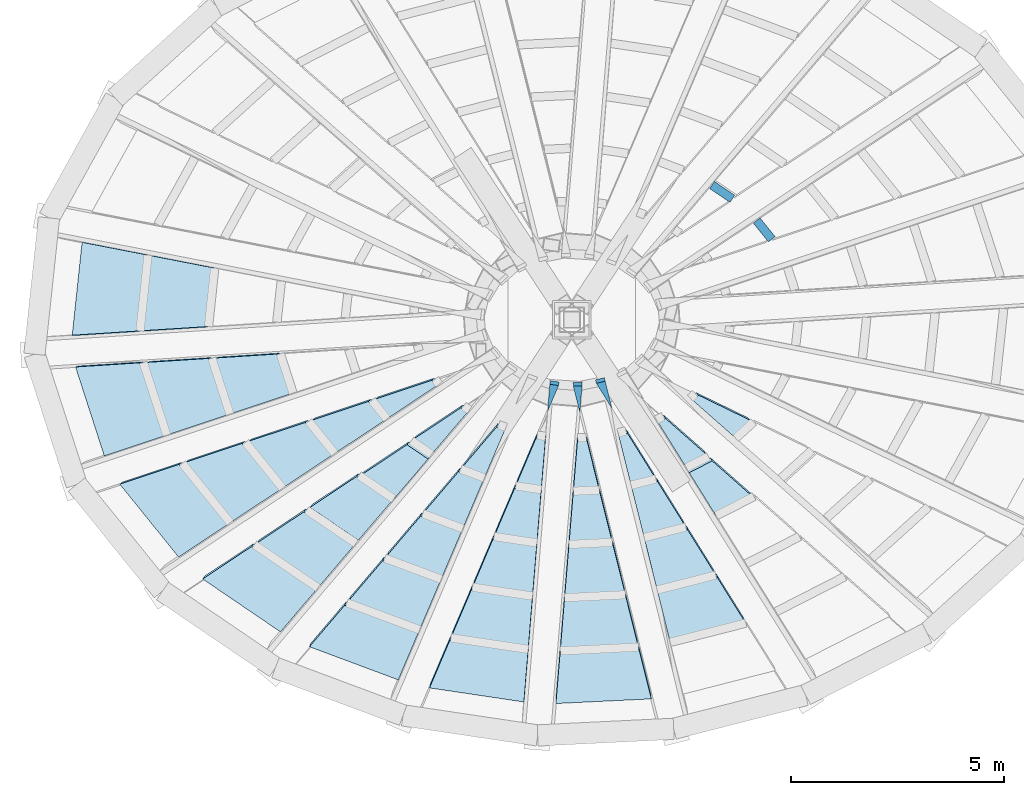
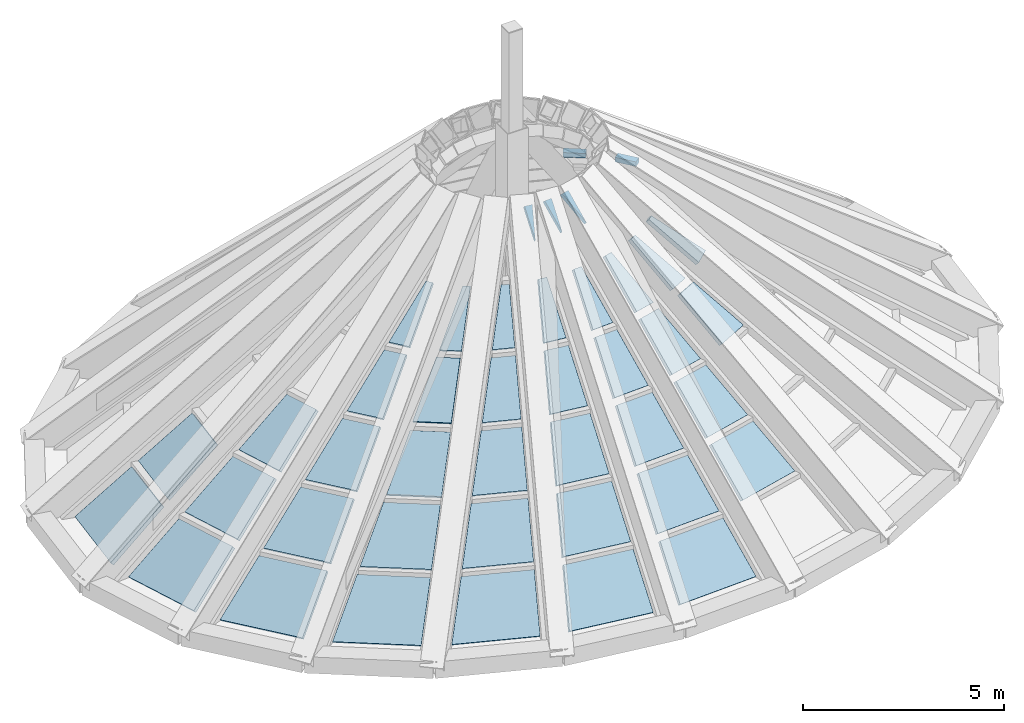
# One storey, part 5 of 9: 40 plates, 2 members, 1 element without a shape of its own.
"""IFC4 building model written with IfcOpenShell, lengths in metres."""

from ifc_helpers import new_model, si_unit, direction, frame, origin, origin_2d, place, context, subcontext, project, spatial, polyline, rectangle, outline, extrude, source, transform, mapped, material, layer, layer_set, material_profile, profile_set, type_object, element, aggregate, save


model = new_model("IFC4")

# Units and contexts
model_context = context("Model", 3, precision=1e-05, world=origin(), true_north=direction((0.0, 1.0)))
body_context = subcontext(model_context, "Body", "Model", "MODEL_VIEW")
ifc_project = project(units=[si_unit("LENGTHUNIT", "METRE"), si_unit("AREAUNIT", "SQUARE_METRE"), si_unit("VOLUMEUNIT", "CUBIC_METRE"), si_unit("PLANEANGLEUNIT", "RADIAN"), si_unit("MASSUNIT", "GRAM", prefix="KILO")], contexts=[model_context])

# Site, building, storey
site_placement = place(None, origin())
site = spatial("IfcSite", under=ifc_project, at=site_placement, CompositionType="ELEMENT")
building_placement = place(site_placement, origin())
building = spatial("IfcBuilding", under=site, at=building_placement, Name="Embergate Tower", CompositionType="ELEMENT")
storey_placement = place(building_placement, frame((0.0, 0.0, 374.5)))
storey = spatial("IfcBuildingStorey", under=building, at=storey_placement, Name="Roof", CompositionType="ELEMENT", Elevation=374.5)

# Curtain wall, members, plates
ifc_material_1 = material(Name="Aluminium and glass", Category="aluminium")
curtain_wall_type = type_object("IfcCurtainWallType", Name="Crown facet glazing", PredefinedType="NOTDEFINED", material=ifc_material_1)
curtain_wall_placement = place(storey_placement, origin())
curtain_wall = element("IfcCurtainWall", 1, at=curtain_wall_placement, inside=storey, type_object=curtain_wall_type, Name="Crown facet glazing Roof", ObjectType="CROWN FACET GLAZING", PredefinedType="USERDEFINED")
ifc_material_2 = material(Name="Aluminium, thermally broken", Category="aluminium")
ifc_material_profile = material_profile(ifc_material_2, rectangle(XDim=0.199951171875, YDim=0.139892578125, at=origin_2d()), Name="AL 140x200")
ifc_profile_set = profile_set([ifc_material_profile], Name="Aluminium, thermally broken")
member_type = type_object("IfcMemberType", Name="Crown facet transom", PredefinedType="USERDEFINED", material=ifc_profile_set)
shared_shape_1 = source(origin(), body_context, "Body", "SweptSolid", [
    extrude(rectangle(XDim=0.199951171875, YDim=0.139892578125, at=origin_2d()), origin(), (0.0, 0.0, 1.0), 0.564453125),
])
member_1_placement = place(storey_placement, frame((4.70166015625, 1.893310546875, 5.076416015625), z_axis=(-0.628065223274, 0.778160700186, 0.0), x_axis=(-0.778160700186, -0.628065223274, 0.0)))
member_1 = element("IfcMember", 2, at=member_1_placement, type_object=member_type, Name="CW transom 2.4", ObjectType="TRANSOM", PredefinedType="USERDEFINED", context=body_context, shape_type="MappedRepresentation", body=[
    mapped(shared_shape_1, transform((0.0, 0.0, 0.0))),
])
shared_shape_2 = source(origin(), body_context, "Body", "SweptSolid", [
    extrude(rectangle(XDim=0.199951171875, YDim=0.139892578125, at=origin_2d()), origin(), (0.0, 0.0, 1.0), 0.577392578125),
])
member_2_placement = place(storey_placement, frame((3.77490234375, 2.843994140625, 5.084716796875), z_axis=(-0.826942228498, 0.562286893611, 0.0), x_axis=(-0.562286893611, -0.826942228498, 0.0)))
member_2 = element("IfcMember", 3, at=member_2_placement, type_object=member_type, Name="CW transom 3.4", ObjectType="TRANSOM", PredefinedType="USERDEFINED", context=body_context, shape_type="MappedRepresentation", body=[
    mapped(shared_shape_2, transform((0.0, 0.0, 0.0))),
])
ifc_material_3 = material(Name="Insulated metal panel with terracotta-glazed ceramic skin", Category="masonry")
ifc_layer = layer(ifc_material_3, 0.1201171875)
ifc_layer_set = layer_set([ifc_layer], Name="Insulated metal panel with terracotta-glazed ceramic skin")
plate_type = type_object("IfcPlateType", Name="Crown apex insulated panel", PredefinedType="CURTAIN_PANEL", material=ifc_layer_set)
shared_shape_3 = source(origin(), body_context, "Body", "SweptSolid", [
    extrude(outline(polyline([(0.0, 0.0), (2.1982421875, 0.0), (2.185302734375, 1.882080078125), (0.371337890625, 1.8818359375), (0.0, 0.0)])), origin(), (0.0, 0.0, -1.0), 0.1201171875),
])
plate_1_placement = place(storey_placement, frame((-11.67041015625, -1.110595703125, 0.025146484375), z_axis=(-0.598193162231, -0.193328318322, 0.777681877116), x_axis=(0.307521334545, -0.95154118607, -3.468966e-06)))
plate_1 = element("IfcPlate", 4, at=plate_1_placement, type_object=plate_type, Name="CW panel 12.1", PredefinedType="CURTAIN_PANEL", context=body_context, shape_type="MappedRepresentation", body=[
    mapped(shared_shape_3, transform((0.0, 0.0, 0.0))),
])
shared_shape_4 = source(origin(), body_context, "Body", "SweptSolid", [
    extrude(outline(polyline([(0.0, 0.0), (1.769287109375, 0.0), (1.7568359375, 1.792724609375), (0.35400390625, 1.792724609375), (0.0, 0.0)])), origin(), (0.0, 0.0, -1.0), 0.1201171875),
])
plate_2_placement = place(storey_placement, frame((-9.988525390625, -1.002685546875, 1.345703125), z_axis=(-0.598158169079, -0.193322552866, 0.777710225802), x_axis=(0.307551370828, -0.951531478233, 1.5263227e-05)))
plate_2 = element("IfcPlate", 5, at=plate_2_placement, type_object=plate_type, Name="CW panel 12.2", PredefinedType="CURTAIN_PANEL", context=body_context, shape_type="MappedRepresentation", body=[
    mapped(shared_shape_4, transform((0.0, 0.0, 0.0))),
])
shared_shape_5 = source(origin(), body_context, "Body", "SweptSolid", [
    extrude(outline(polyline([(0.0, 0.0), (1.3583984375, 0.0), (1.345947265625, 1.79248046875), (0.353759765625, 1.79248046875), (0.0, 0.0)])), origin(), (0.0, 0.0, -1.0), 0.1201171875),
])
plate_3_placement = place(storey_placement, frame((-8.3779296875, -0.8994140625, 2.610107421875), z_axis=(-0.598116752418, -0.193322094085, 0.77774219277), x_axis=(0.307540600818, -0.951534959292, -9.701836e-06)))
plate_3 = element("IfcPlate", 6, at=plate_3_placement, type_object=plate_type, Name="CW panel 12.3", PredefinedType="CURTAIN_PANEL", context=body_context, shape_type="MappedRepresentation", body=[
    mapped(shared_shape_5, transform((0.0, 0.0, 0.0))),
])
shared_shape_6 = source(origin(), body_context, "Body", "SweptSolid", [
    extrude(outline(polyline([(0.0, 0.0), (2.202392578125, 0.0), (2.331298828125, 1.812744140625), (0.512939453125, 1.8125), (0.0, 0.0)])), origin(), (0.0, 0.0, -1.0), 0.1201171875),
])
plate_4_placement = place(storey_placement, frame((-10.630126953125, -3.8671875, 0.026123046875), z_axis=(-0.508296458404, -0.410357957093, 0.757126843682), x_axis=(0.62813951963, -0.778100728226, -2.4740948e-05)))
plate_4 = element("IfcPlate", 7, at=plate_4_placement, type_object=plate_type, Name="CW panel 13.1", PredefinedType="CURTAIN_PANEL", context=body_context, shape_type="MappedRepresentation", body=[
    mapped(shared_shape_6, transform((0.0, 0.0, 0.0))),
])
shared_shape_7 = source(origin(), body_context, "Body", "SweptSolid", [
    extrude(outline(polyline([(0.0, 0.0), (1.773681640625, 0.0), (1.896728515625, 1.727294921875), (0.489013671875, 1.727294921875), (0.0, 0.0)])), origin(), (0.0, 0.0, -1.0), 0.1201171875),
])
plate_5_placement = place(storey_placement, frame((-9.0791015625, -3.3505859375, 1.34765625), z_axis=(-0.508307976596, -0.410396399686, 0.757098273709), x_axis=(0.628183835486, -0.778064951532, -5.548136e-06)))
plate_5 = element("IfcPlate", 8, at=plate_5_placement, type_object=plate_type, Name="CW panel 13.2", PredefinedType="CURTAIN_PANEL", context=body_context, shape_type="MappedRepresentation", body=[
    mapped(shared_shape_7, transform((0.0, 0.0, 0.0))),
])
shared_shape_8 = source(origin(), body_context, "Body", "SweptSolid", [
    extrude(outline(polyline([(0.0, 0.0), (1.36328125, 0.0), (1.486083984375, 1.7275390625), (0.48876953125, 1.727294921875), (0.0, 0.0)])), origin(), (0.0, 0.0, -1.0), 0.1201171875),
])
plate_6_placement = place(storey_placement, frame((-7.593017578125, -2.85595703125, 2.613525390625), z_axis=(-0.508316758438, -0.410288101275, 0.757151072801), x_axis=(0.628077625983, -0.778150689595, -4.736244e-06)))
plate_6 = element("IfcPlate", 9, at=plate_6_placement, type_object=plate_type, Name="CW panel 13.3", PredefinedType="CURTAIN_PANEL", context=body_context, shape_type="MappedRepresentation", body=[
    mapped(shared_shape_8, transform((0.0, 0.0, 0.0))),
])
shared_shape_9 = source(origin(), body_context, "Body", "SweptSolid", [
    extrude(outline(polyline([(0.0, 0.0), (0.952880859375, 0.0), (1.07568359375, 1.7275390625), (0.48876953125, 1.727294921875), (0.0, 0.0)])), origin(), (0.0, 0.0, -1.0), 0.1201171875),
])
plate_7_placement = place(storey_placement, frame((-6.107177734375, -2.361083984375, 3.87939453125), z_axis=(-0.508320637984, -0.410323628909, 0.757129215233), x_axis=(0.628066613025, -0.778159576873, -5.0242445e-05)))
plate_7 = element("IfcPlate", 10, at=plate_7_placement, type_object=plate_type, Name="CW panel 13.4", PredefinedType="CURTAIN_PANEL", context=body_context, shape_type="MappedRepresentation", body=[
    mapped(shared_shape_9, transform((0.0, 0.0, 0.0))),
])
shared_shape_10 = source(origin(), body_context, "Body", "SweptSolid", [
    extrude(outline(polyline([(0.0, 0.0), (0.542236328125, 0.0), (0.6650390625, 1.727294921875), (0.48876953125, 1.727294921875), (0.0, 0.0)])), origin(), (0.0, 0.0, -1.0), 0.1201171875),
])
plate_8_placement = place(storey_placement, frame((-4.62109375, -1.866455078125, 5.145263671875), z_axis=(-0.508302495641, -0.410415421153, 0.757091642408), x_axis=(0.628174948703, -0.77807212536, -3.9499699e-05)))
plate_8 = element("IfcPlate", 11, at=plate_8_placement, type_object=plate_type, Name="CW panel 13.5", PredefinedType="CURTAIN_PANEL", context=body_context, shape_type="MappedRepresentation", body=[
    mapped(shared_shape_10, transform((0.0, 0.0, 0.0))),
])
shared_shape_11 = source(origin(), body_context, "Body", "SweptSolid", [
    extrude(outline(polyline([(0.0, 0.0), (2.213623046875, 0.0), (2.352783203125, 1.74267578125), (0.522705078125, 1.74267578125), (0.0, 0.0)])), origin(), (0.0, 0.0, -1.0), 0.1201171875),
])
plate_9_placement = place(storey_placement, frame((-8.681396484375, -6.0966796875, 0.027099609375), z_axis=(-0.382441409907, -0.562674779758, 0.732895395137), x_axis=(0.827046522568, -0.562133480149, -2.038473e-06)))
plate_9 = element("IfcPlate", 12, at=plate_9_placement, type_object=plate_type, Name="CW panel 14.1", PredefinedType="CURTAIN_PANEL", context=body_context, shape_type="MappedRepresentation", body=[
    mapped(shared_shape_11, transform((0.0, 0.0, 0.0))),
])
shared_shape_12 = source(origin(), body_context, "Body", "SweptSolid", [
    extrude(outline(polyline([(0.0, 0.0), (1.78564453125, 0.0), (1.91845703125, 1.66162109375), (0.498291015625, 1.66162109375), (0.0, 0.0)])), origin(), (0.0, 0.0, -1.0), 0.1201171875),
])
plate_10_placement = place(storey_placement, frame((-7.398193359375, -5.24609375, 1.35009765625), z_axis=(-0.382386824934, -0.562623075299, 0.732963567483), x_axis=(0.827067990154, -0.56210189426, 1.1469027e-05)))
plate_10 = element("IfcPlate", 13, at=plate_10_placement, type_object=plate_type, Name="CW panel 14.2", PredefinedType="CURTAIN_PANEL", context=body_context, shape_type="MappedRepresentation", body=[
    mapped(shared_shape_12, transform((0.0, 0.0, 0.0))),
])
shared_shape_13 = source(origin(), body_context, "Body", "SweptSolid", [
    extrude(outline(polyline([(0.0, 0.0), (1.37548828125, 0.0), (1.50830078125, 1.661865234375), (0.498291015625, 1.66162109375), (0.0, 0.0)])), origin(), (0.0, 0.0, -1.0), 0.1201171875),
])
plate_11_placement = place(storey_placement, frame((-6.15673828125, -4.413818359375, 2.595703125), z_axis=(-0.382408022245, -0.5627497516, 0.732855252827), x_axis=(0.82708907907, -0.562070862577, -2.6934854e-05)))
plate_11 = element("IfcPlate", 14, at=plate_11_placement, type_object=plate_type, Name="CW panel 14.3", PredefinedType="CURTAIN_PANEL", context=body_context, shape_type="MappedRepresentation", body=[
    mapped(shared_shape_13, transform((0.0, 0.0, 0.0))),
])
shared_shape_14 = source(origin(), body_context, "Body", "SweptSolid", [
    extrude(outline(polyline([(0.0, 0.0), (0.96533203125, 0.0), (1.09814453125, 1.661865234375), (0.49853515625, 1.66162109375), (0.0, 0.0)])), origin(), (0.0, 0.0, -1.0), 0.1201171875),
])
plate_12_placement = place(storey_placement, frame((-4.97265625, -3.666015625, 3.951416015625), z_axis=(-0.382349286161, -0.56280286375, 0.732845113191), x_axis=(0.827140346437, -0.561995413565, -4.9269829e-05)))
plate_12 = element("IfcPlate", 15, at=plate_12_placement, type_object=plate_type, Name="CW panel 14.4", PredefinedType="CURTAIN_PANEL", context=body_context, shape_type="MappedRepresentation", body=[
    mapped(shared_shape_14, transform((0.0, 0.0, 0.0))),
])
shared_shape_15 = source(origin(), body_context, "Body", "SweptSolid", [
    extrude(outline(polyline([(0.0, 0.0), (0.555419921875, 0.0), (0.6884765625, 1.661376953125), (0.498779296875, 1.661376953125), (0.0, 0.0)])), origin(), (0.0, 0.0, -1.0), 0.1201171875),
])
plate_13_placement = place(storey_placement, frame((-3.70849609375, -2.800048828125, 5.1533203125), z_axis=(-0.382123163301, -0.562929397511, 0.732865868687), x_axis=(0.827331093721, -0.561714566225, -8.6329179e-05)))
plate_13 = element("IfcPlate", 16, at=plate_13_placement, type_object=plate_type, Name="CW panel 14.5", PredefinedType="CURTAIN_PANEL", context=body_context, shape_type="MappedRepresentation", body=[
    mapped(shared_shape_15, transform((0.0, 0.0, 0.0))),
])
shared_shape_16 = source(origin(), body_context, "Body", "SweptSolid", [
    extrude(outline(polyline([(0.0, 0.0), (2.23046875, 0.0), (2.2861328125, 1.69384765625), (0.43896484375, 1.693603515625), (0.0, 0.0)])), origin(), (0.0, 0.0, -1.0), 0.1201171875),
])
plate_14_placement = place(storey_placement, frame((-6.170654296875, -7.68994140625, 0.028076171875), z_axis=(-0.244867382337, -0.656377126789, 0.713588839946), x_axis=(0.936914484826, -0.349558646193, -3.1534208e-05)))
plate_14 = element("IfcPlate", 17, at=plate_14_placement, type_object=plate_type, Name="CW panel 15.1", PredefinedType="CURTAIN_PANEL", context=body_context, shape_type="MappedRepresentation", body=[
    mapped(shared_shape_16, transform((0.0, 0.0, 0.0))),
])
shared_shape_17 = source(origin(), body_context, "Body", "SweptSolid", [
    extrude(outline(polyline([(0.0, 0.0), (1.802978515625, 0.0), (1.85595703125, 1.615966796875), (0.41845703125, 1.61572265625), (0.0, 0.0)])), origin(), (0.0, 0.0, -1.0), 0.1201171875),
])
plate_15_placement = place(storey_placement, frame((-5.240478515625, -6.597900390625, 1.351806640625), z_axis=(-0.244911535329, -0.656405140809, 0.713547917789), x_axis=(0.936899804403, -0.34959799155, -2.8518511e-05)))
plate_15 = element("IfcPlate", 18, at=plate_15_placement, type_object=plate_type, Name="CW panel 15.2", PredefinedType="CURTAIN_PANEL", context=body_context, shape_type="MappedRepresentation", body=[
    mapped(shared_shape_17, transform((0.0, 0.0, 0.0))),
])
shared_shape_18 = source(origin(), body_context, "Body", "SweptSolid", [
    extrude(outline(polyline([(0.0, 0.0), (1.39306640625, 0.0), (1.4462890625, 1.61572265625), (0.418701171875, 1.61572265625), (0.0, 0.0)])), origin(), (0.0, 0.0, -1.0), 0.1201171875),
])
plate_16_placement = place(storey_placement, frame((-4.348876953125, -5.55078125, 2.62109375), z_axis=(-0.244890645798, -0.656315409353, 0.713637621658), x_axis=(0.936896773777, -0.349606113886, -2.0491873e-05)))
plate_16 = element("IfcPlate", 19, at=plate_16_placement, type_object=plate_type, Name="CW panel 15.3", PredefinedType="CURTAIN_PANEL", context=body_context, shape_type="MappedRepresentation", body=[
    mapped(shared_shape_18, transform((0.0, 0.0, 0.0))),
])
shared_shape_19 = source(origin(), body_context, "Body", "SweptSolid", [
    extrude(outline(polyline([(0.0, 0.0), (0.983154296875, 0.0), (1.036376953125, 1.61572265625), (0.4189453125, 1.615966796875), (0.0, 0.0)])), origin(), (0.0, 0.0, -1.0), 0.1201171875),
])
plate_17_placement = place(storey_placement, frame((-3.45703125, -4.50390625, 3.89013671875), z_axis=(-0.244943668321, -0.656389184479, 0.713551566356), x_axis=(0.936932073815, -0.349511482615, 0.000112146188)))
plate_17 = element("IfcPlate", 20, at=plate_17_placement, type_object=plate_type, Name="CW panel 15.4", PredefinedType="CURTAIN_PANEL", context=body_context, shape_type="MappedRepresentation", body=[
    mapped(shared_shape_19, transform((0.0, 0.0, 0.0))),
])
shared_shape_20 = source(origin(), body_context, "Body", "SweptSolid", [
    extrude(outline(polyline([(0.0, 0.0), (0.572998046875, 0.0), (0.62646484375, 1.61572265625), (0.418701171875, 1.615966796875), (0.0, 0.0)])), origin(), (0.0, 0.0, -1.0), 0.1201171875),
])
plate_18_placement = place(storey_placement, frame((-2.565185546875, -3.456787109375, 5.1591796875), z_axis=(-0.244941381184, -0.656390320239, 0.713551306691), x_axis=(0.936935199536, -0.349503101694, 0.000117369288)))
plate_18 = element("IfcPlate", 21, at=plate_18_placement, type_object=plate_type, Name="CW panel 15.5", PredefinedType="CURTAIN_PANEL", context=body_context, shape_type="MappedRepresentation", body=[
    mapped(shared_shape_20, transform((0.0, 0.0, 0.0))),
])
shared_shape_21 = source(origin(), body_context, "Body", "SweptSolid", [
    extrude(outline(polyline([(0.0, 0.0), (2.24365234375, 0.0), (2.166015625, 1.668212890625), (0.305419921875, 1.66796875), (0.0, 0.0)])), origin(), (0.0, 0.0, -1.0), 0.1201171875),
])
plate_19_placement = place(storey_placement, frame((-3.34619140625, -8.658203125, 0.0283203125), z_axis=(-0.104933212275, -0.704128108843, 0.70227674552), x_axis=(0.98907448025, -0.147416661717, -1.915603e-05)))
plate_19 = element("IfcPlate", 22, at=plate_19_placement, type_object=plate_type, Name="CW panel 16.1", PredefinedType="CURTAIN_PANEL", context=body_context, shape_type="MappedRepresentation", body=[
    mapped(shared_shape_21, transform((0.0, 0.0, 0.0))),
])
shared_shape_22 = source(origin(), body_context, "Body", "SweptSolid", [
    extrude(outline(polyline([(0.0, 0.0), (1.816162109375, 0.0), (1.7421875, 1.591552734375), (0.291748046875, 1.591552734375), (0.0, 0.0)])), origin(), (0.0, 0.0, -1.0), 0.1201171875),
])
plate_20_placement = place(storey_placement, frame((-2.81640625, -7.416015625, 1.352783203125), z_axis=(-0.104863819792, -0.704146451015, 0.702268719809), x_axis=(0.989089884001, -0.147313275531, -1.4776108e-05)))
plate_20 = element("IfcPlate", 23, at=plate_20_placement, type_object=plate_type, Name="CW panel 16.2", PredefinedType="CURTAIN_PANEL", context=body_context, shape_type="MappedRepresentation", body=[
    mapped(shared_shape_22, transform((0.0, 0.0, 0.0))),
])
shared_shape_23 = source(origin(), body_context, "Body", "SweptSolid", [
    extrude(outline(polyline([(0.0, 0.0), (1.40625, 0.0), (1.33251953125, 1.591552734375), (0.291748046875, 1.591552734375), (0.0, 0.0)])), origin(), (0.0, 0.0, -1.0), 0.1201171875),
])
plate_21_placement = place(storey_placement, frame((-2.308349609375, -6.224853515625, 2.622802734375), z_axis=(-0.104850310195, -0.704187754041, 0.70222932117), x_axis=(0.989099259264, -0.147250313534, 2.2067689e-05)))
plate_21 = element("IfcPlate", 24, at=plate_21_placement, type_object=plate_type, Name="CW panel 16.3", PredefinedType="CURTAIN_PANEL", context=body_context, shape_type="MappedRepresentation", body=[
    mapped(shared_shape_23, transform((0.0, 0.0, 0.0))),
])
shared_shape_24 = source(origin(), body_context, "Body", "SweptSolid", [
    extrude(outline(polyline([(0.0, 0.0), (0.996337890625, 0.0), (0.92236328125, 1.59130859375), (0.291748046875, 1.59130859375), (0.0, 0.0)])), origin(), (0.0, 0.0, -1.0), 0.1201171875),
])
plate_22_placement = place(storey_placement, frame((-1.80029296875, -5.03369140625, 3.89306640625), z_axis=(-0.104780629624, -0.704091651869, 0.702336077262), x_axis=(0.989103390675, -0.147222558733, -2.7477632e-05)))
plate_22 = element("IfcPlate", 25, at=plate_22_placement, type_object=plate_type, Name="CW panel 16.4", PredefinedType="CURTAIN_PANEL", context=body_context, shape_type="MappedRepresentation", body=[
    mapped(shared_shape_24, transform((0.0, 0.0, 0.0))),
])
shared_shape_25 = source(origin(), body_context, "Body", "SweptSolid", [
    extrude(outline(polyline([(0.0, 0.0), (0.586181640625, 0.0), (0.51220703125, 1.591552734375), (0.29150390625, 1.591552734375), (0.0, 0.0)])), origin(), (0.0, 0.0, -1.0), 0.1201171875),
])
plate_23_placement = place(storey_placement, frame((-1.292236328125, -3.84228515625, 5.1630859375), z_axis=(-0.104899324295, -0.704139406817, 0.702270480321), x_axis=(0.989079044708, -0.147386030156, -3.7860602e-05)))
plate_23 = element("IfcPlate", 26, at=plate_23_placement, type_object=plate_type, Name="CW panel 16.5", PredefinedType="CURTAIN_PANEL", context=body_context, shape_type="MappedRepresentation", body=[
    mapped(shared_shape_25, transform((0.0, 0.0, 0.0))),
])
shared_shape_26 = source(origin(), body_context, "Body", "SweptSolid", [
    extrude(outline(polyline([(0.0, 0.0), (0.176513671875, 0.0), (0.099853515625, 1.66796875), (0.306396484375, 1.66796875), (0.0, 0.0)])), origin(), (0.0, 0.0, -1.0), 0.1201171875),
])
plate_24_placement = place(storey_placement, frame((-0.785888671875, -2.661865234375, 6.443603515625), z_axis=(-0.103917434858, -0.704329280705, 0.702226054113), x_axis=(0.989240182313, -0.14630017352, -0.000347742407)))
plate_24 = element("IfcPlate", 27, at=plate_24_placement, type_object=plate_type, Name="CW panel 16.6", PredefinedType="CURTAIN_PANEL", context=body_context, shape_type="MappedRepresentation", body=[
    mapped(shared_shape_26, transform((0.0, 0.0, 0.0))),
])
shared_shape_27 = source(origin(), body_context, "Body", "SweptSolid", [
    extrude(outline(polyline([(0.0, 0.0), (2.24609375, 0.0), (2.015625, 1.66259765625), (0.15283203125, 1.66259765625), (0.0, 0.0)])), origin(), (0.0, 0.0, -1.0), 0.1201171875),
])
plate_25_placement = place(storey_placement, frame((-0.37353515625, -9.02587890625, 0.028564453125), z_axis=(0.034792320002, -0.713242560044, 0.700053244411), x_axis=(0.998812983232, 0.048709591995, -1.3237339e-05)))
plate_25 = element("IfcPlate", 28, at=plate_25_placement, type_object=plate_type, Name="CW panel 17.1", PredefinedType="CURTAIN_PANEL", context=body_context, shape_type="MappedRepresentation", body=[
    mapped(shared_shape_27, transform((0.0, 0.0, 0.0))),
])
shared_shape_28 = source(origin(), body_context, "Body", "SweptSolid", [
    extrude(outline(polyline([(0.0, 0.0), (1.818603515625, 0.0), (1.59912109375, 1.586669921875), (0.145751953125, 1.5869140625), (0.0, 0.0)])), origin(), (0.0, 0.0, -1.0), 0.1201171875),
])
plate_26_placement = place(storey_placement, frame((-0.2666015625, -7.720703125, 1.35302734375), z_axis=(0.034794363664, -0.713204529305, 0.700091887995), x_axis=(0.998811981313, 0.048730134215, 2.178466e-06)))
plate_26 = element("IfcPlate", 29, at=plate_26_placement, type_object=plate_type, Name="CW panel 17.2", PredefinedType="CURTAIN_PANEL", context=body_context, shape_type="MappedRepresentation", body=[
    mapped(shared_shape_28, transform((0.0, 0.0, 0.0))),
])
shared_shape_29 = source(origin(), body_context, "Body", "SweptSolid", [
    extrude(outline(polyline([(0.0, 0.0), (1.408935546875, 0.0), (1.18896484375, 1.5869140625), (0.145751953125, 1.5869140625), (0.0, 0.0)])), origin(), (0.0, 0.0, -1.0), 0.1201171875),
])
plate_27_placement = place(storey_placement, frame((-0.1640625, -6.468994140625, 2.623291015625), z_axis=(0.034764458657, -0.713204599695, 0.700093301917), x_axis=(0.998813960053, 0.048689559372, 3.415374e-06)))
plate_27 = element("IfcPlate", 30, at=plate_27_placement, type_object=plate_type, Name="CW panel 17.3", PredefinedType="CURTAIN_PANEL", context=body_context, shape_type="MappedRepresentation", body=[
    mapped(shared_shape_29, transform((0.0, 0.0, 0.0))),
])
shared_shape_30 = source(origin(), body_context, "Body", "SweptSolid", [
    extrude(outline(polyline([(0.0, 0.0), (0.998779296875, 0.0), (0.779296875, 1.5869140625), (0.145751953125, 1.5869140625), (0.0, 0.0)])), origin(), (0.0, 0.0, -1.0), 0.1201171875),
])
plate_28_placement = place(storey_placement, frame((-0.061279296875, -5.21728515625, 3.8935546875), z_axis=(0.034922810519, -0.713194277209, 0.70009593647), x_axis=(0.998803737421, 0.048898814126, -9.540508e-06)))
plate_28 = element("IfcPlate", 31, at=plate_28_placement, type_object=plate_type, Name="CW panel 17.4", PredefinedType="CURTAIN_PANEL", context=body_context, shape_type="MappedRepresentation", body=[
    mapped(shared_shape_30, transform((0.0, 0.0, 0.0))),
])
shared_shape_31 = source(origin(), body_context, "Body", "SweptSolid", [
    extrude(outline(polyline([(0.0, 0.0), (0.589111328125, 0.0), (0.368896484375, 1.586669921875), (0.1455078125, 1.586669921875), (0.0, 0.0)])), origin(), (0.0, 0.0, -1.0), 0.1201171875),
])
plate_29_placement = place(storey_placement, frame((0.041259765625, -3.96533203125, 5.163818359375), z_axis=(0.034760955848, -0.713243316286, 0.700054032002), x_axis=(0.99881897354, 0.048586512893, -9.4130816e-05)))
plate_29 = element("IfcPlate", 32, at=plate_29_placement, type_object=plate_type, Name="CW panel 17.5", PredefinedType="CURTAIN_PANEL", context=body_context, shape_type="MappedRepresentation", body=[
    mapped(shared_shape_31, transform((0.0, 0.0, 0.0))),
])
shared_shape_32 = source(origin(), body_context, "Body", "SweptSolid", [
    extrude(outline(polyline([(0.0, 0.0), (0.179443359375, 0.0), (-0.05078125, 1.66259765625), (0.15283203125, 1.662841796875), (0.0, 0.0)])), origin(), (0.0, 0.0, -1.0), 0.1201171875),
])
plate_30_placement = place(storey_placement, frame((0.144287109375, -2.724365234375, 6.444580078125), z_axis=(0.036016346944, -0.713123669493, 0.700112458654), x_axis=(0.998762512743, 0.049728402321, -0.000727420897)))
plate_30 = element("IfcPlate", 33, at=plate_30_placement, type_object=plate_type, Name="CW panel 17.6", PredefinedType="CURTAIN_PANEL", context=body_context, shape_type="MappedRepresentation", body=[
    mapped(shared_shape_32, transform((0.0, 0.0, 0.0))),
])
shared_shape_33 = source(origin(), body_context, "Body", "SweptSolid", [
    extrude(outline(polyline([(0.0, 0.0), (1.810302734375, 0.0), (1.451171875, 1.60107421875), (0.006591796875, 1.60107421875), (0.0, 0.0)])), origin(), (0.0, 0.0, -1.0), 0.1201171875),
])
plate_31_placement = place(storey_placement, frame((2.297607421875, -7.5205078125, 1.352294921875), z_axis=(0.175087650878, -0.685335511028, 0.706866006987), x_axis=(0.968886612849, 0.247505011915, -2.2786763e-05)))
plate_31 = element("IfcPlate", 34, at=plate_31_placement, type_object=plate_type, Name="CW panel 18.2", PredefinedType="CURTAIN_PANEL", context=body_context, shape_type="MappedRepresentation", body=[
    mapped(shared_shape_33, transform((0.0, 0.0, 0.0))),
])
shared_shape_34 = source(origin(), body_context, "Body", "SweptSolid", [
    extrude(outline(polyline([(0.0, 0.0), (1.400390625, 0.0), (1.041259765625, 1.60107421875), (0.0068359375, 1.60107421875), (0.0, 0.0)])), origin(), (0.0, 0.0, -1.0), 0.1201171875),
])
plate_32_placement = place(storey_placement, frame((1.990966796875, -6.289306640625, 2.6220703125), z_axis=(0.175117875524, -0.685364127659, 0.706830773375), x_axis=(0.968870554844, 0.247567865124, 1.0724908e-05)))
plate_32 = element("IfcPlate", 35, at=plate_32_placement, type_object=plate_type, Name="CW panel 18.3", PredefinedType="CURTAIN_PANEL", context=body_context, shape_type="MappedRepresentation", body=[
    mapped(shared_shape_34, transform((0.0, 0.0, 0.0))),
])
shared_shape_35 = source(origin(), body_context, "Body", "SweptSolid", [
    extrude(outline(polyline([(0.0, 0.0), (0.990478515625, 0.0), (0.63134765625, 1.60107421875), (0.0068359375, 1.601318359375), (0.0, 0.0)])), origin(), (0.0, 0.0, -1.0), 0.1201171875),
])
plate_33_placement = place(storey_placement, frame((1.68408203125, -5.05810546875, 3.891845703125), z_axis=(0.174931652097, -0.685398465736, 0.706843589673), x_axis=(0.968918459317, 0.247380298511, 8.4276377e-05)))
plate_33 = element("IfcPlate", 36, at=plate_33_placement, type_object=plate_type, Name="CW panel 18.4", PredefinedType="CURTAIN_PANEL", context=body_context, shape_type="MappedRepresentation", body=[
    mapped(shared_shape_35, transform((0.0, 0.0, 0.0))),
])
shared_shape_36 = source(origin(), body_context, "Body", "SweptSolid", [
    extrude(outline(polyline([(0.0, 0.0), (0.580322265625, 0.0), (0.2216796875, 1.600830078125), (0.007080078125, 1.60107421875), (0.0, 0.0)])), origin(), (0.0, 0.0, -1.0), 0.1201171875),
])
plate_34_placement = place(storey_placement, frame((1.377685546875, -3.826904296875, 5.16162109375), z_axis=(0.175062631903, -0.685263776246, 0.706941745744), x_axis=(0.96885003686, 0.247648113415, 0.000134160993)))
plate_34 = element("IfcPlate", 37, at=plate_34_placement, type_object=plate_type, Name="CW panel 18.5", PredefinedType="CURTAIN_PANEL", context=body_context, shape_type="MappedRepresentation", body=[
    mapped(shared_shape_36, transform((0.0, 0.0, 0.0))),
])
shared_shape_37 = source(origin(), body_context, "Body", "SweptSolid", [
    extrude(outline(polyline([(0.0, 0.0), (0.17041015625, 0.0), (-0.20556640625, 1.67822265625), (0.0078125, 1.67822265625), (0.0, 0.0)])), origin(), (0.0, 0.0, -1.0), 0.1201171875),
])
plate_35_placement = place(storey_placement, frame((1.071044921875, -2.595703125, 6.43115234375), z_axis=(0.17348514597, -0.685871507324, 0.706741239471), x_axis=(0.969123640467, 0.246571321155, 0.001397523476)))
plate_35 = element("IfcPlate", 38, at=plate_35_placement, type_object=plate_type, Name="CW panel 18.6", PredefinedType="CURTAIN_PANEL", context=body_context, shape_type="MappedRepresentation", body=[
    mapped(shared_shape_37, transform((0.0, 0.0, 0.0))),
])
shared_shape_38 = source(origin(), body_context, "Body", "SweptSolid", [
    extrude(outline(polyline([(0.0, 0.0), (0.974609375, 0.0), (0.508056640625, 1.635986328125), (-0.100830078125, 1.635986328125), (0.0, 0.0)])), origin(), (0.0, 0.0, -1.0), 0.1201171875),
])
plate_36_placement = place(storey_placement, frame((3.38671875, -4.603515625, 3.953125), z_axis=(0.314353528877, -0.616053779717, 0.722260063536), x_axis=(0.890685762614, 0.454619467313, 0.000110526079)))
plate_36 = element("IfcPlate", 39, at=plate_36_placement, type_object=plate_type, Name="CW panel 19.4", PredefinedType="CURTAIN_PANEL", context=body_context, shape_type="MappedRepresentation", body=[
    mapped(shared_shape_38, transform((0.0, 0.0, 0.0))),
])
shared_shape_39 = source(origin(), body_context, "Body", "SweptSolid", [
    extrude(outline(polyline([(0.0, 0.0), (0.564697265625, 0.0), (0.098388671875, 1.63623046875), (-0.1005859375, 1.63623046875), (0.0, 0.0)])), origin(), (0.0, 0.0, -1.0), 0.1201171875),
])
plate_37_placement = place(storey_placement, frame((2.655029296875, -3.41943359375, 5.15673828125), z_axis=(0.314525924214, -0.615790038552, 0.722409905398), x_axis=(0.890575095047, 0.454836233002, -3.5067897e-05)))
plate_37 = element("IfcPlate", 40, at=plate_37_placement, type_object=plate_type, Name="CW panel 19.5", PredefinedType="CURTAIN_PANEL", context=body_context, shape_type="MappedRepresentation", body=[
    mapped(shared_shape_39, transform((0.0, 0.0, 0.0))),
])
shared_shape_40 = source(origin(), body_context, "Body", "SweptSolid", [
    extrude(outline(polyline([(0.0, 0.0), (0.547607421875, 0.0), (0.040283203125, 1.692626953125), (-0.141357421875, 1.692626953125), (0.0, 0.0)])), origin(), (0.0, 0.0, -1.0), 0.1201171875),
])
plate_38_placement = place(storey_placement, frame((3.795654296875, -2.73486328125, 5.149169921875), z_axis=(0.448023663181, -0.494501928489, 0.744810472503), x_axis=(0.741049438945, 0.671450465658, 3.4728188e-05)))
plate_38 = element("IfcPlate", 41, at=plate_38_placement, type_object=plate_type, Name="CW panel 20.5", PredefinedType="CURTAIN_PANEL", context=body_context, shape_type="MappedRepresentation", body=[
    mapped(shared_shape_40, transform((0.0, 0.0, 0.0))),
])
shared_shape_41 = source(origin(), body_context, "Body", "SweptSolid", [
    extrude(outline(polyline([(0.0, 0.0), (2.19873046875, 0.0), (1.943359375, 1.900634765625), (0.12890625, 1.900634765625), (0.0, 0.0)])), origin(), (0.0, 0.0, -1.0), 0.1201171875),
])
plate_39_placement = place(storey_placement, frame((-11.5166015625, 1.82177734375, 0.02490234375), z_axis=(-0.618714634008, 0.065781246339, 0.782856966051), x_axis=(-0.105710239254, -0.994396975663, 1.0474997e-05)))
plate_39 = element("IfcPlate", 42, at=plate_39_placement, type_object=plate_type, Name="CW panel 11.1", PredefinedType="CURTAIN_PANEL", context=body_context, shape_type="MappedRepresentation", body=[
    mapped(shared_shape_41, transform((0.0, 0.0, 0.0))),
])
shared_shape_42 = source(origin(), body_context, "Body", "SweptSolid", [
    extrude(outline(polyline([(0.0, 0.0), (1.77001953125, 0.0), (1.526611328125, 1.810302734375), (0.122802734375, 1.81005859375), (0.0, 0.0)])), origin(), (0.0, 0.0, -1.0), 0.1201171875),
])
plate_40_placement = place(storey_placement, frame((-9.880126953125, 1.503173828125, 1.34521484375), z_axis=(-0.618802972359, 0.065819918542, 0.782783890817), x_axis=(-0.105786900288, -0.994388823118, -1.3614227e-05)))
plate_40 = element("IfcPlate", 43, at=plate_40_placement, type_object=plate_type, Name="CW panel 11.2", PredefinedType="CURTAIN_PANEL", context=body_context, shape_type="MappedRepresentation", body=[
    mapped(shared_shape_42, transform((0.0, 0.0, 0.0))),
])
aggregate(curtain_wall, [member_1, member_2, plate_39, plate_40, plate_1, plate_2, plate_3, plate_4, plate_5, plate_6, plate_7, plate_8, plate_9, plate_10, plate_11, plate_12, plate_13, plate_14, plate_15, plate_16, plate_17, plate_18, plate_19, plate_20, plate_21, plate_22, plate_23, plate_24, plate_25, plate_26, plate_27, plate_28, plate_29, plate_30, plate_31, plate_32, plate_33, plate_34, plate_35, plate_36, plate_37, plate_38])

save(model, "model.ifc")
